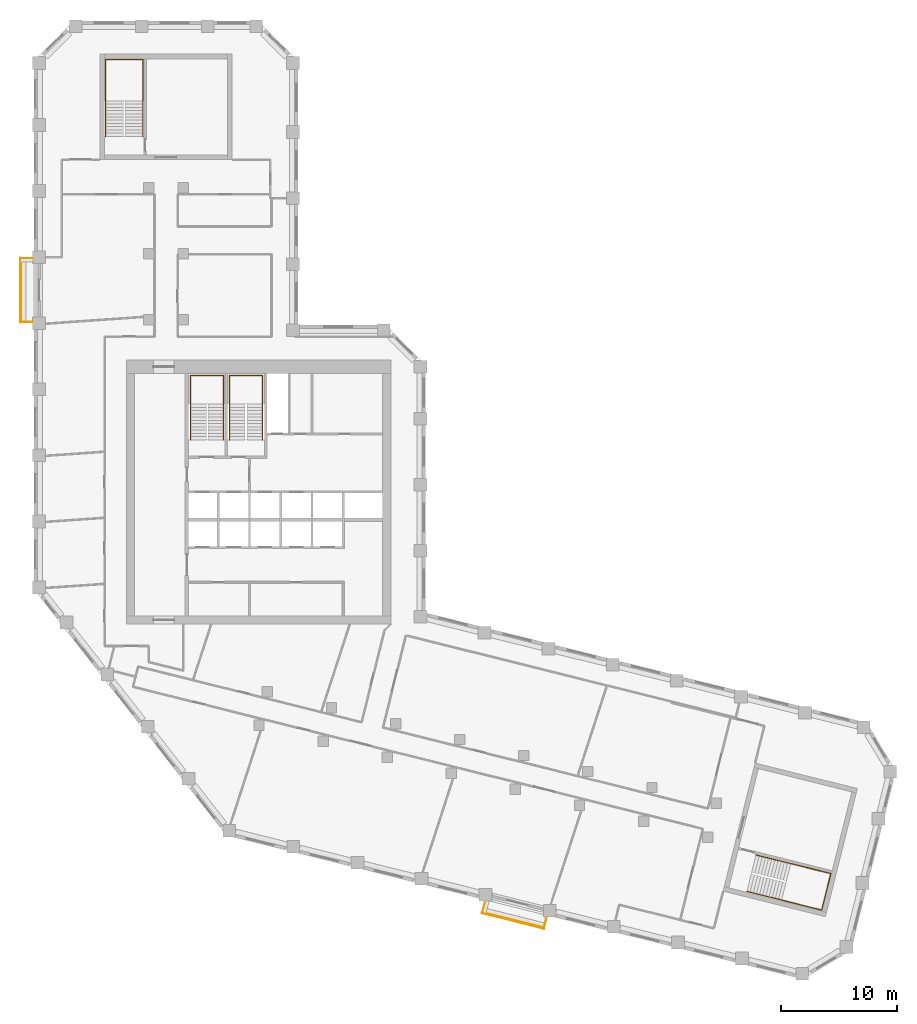
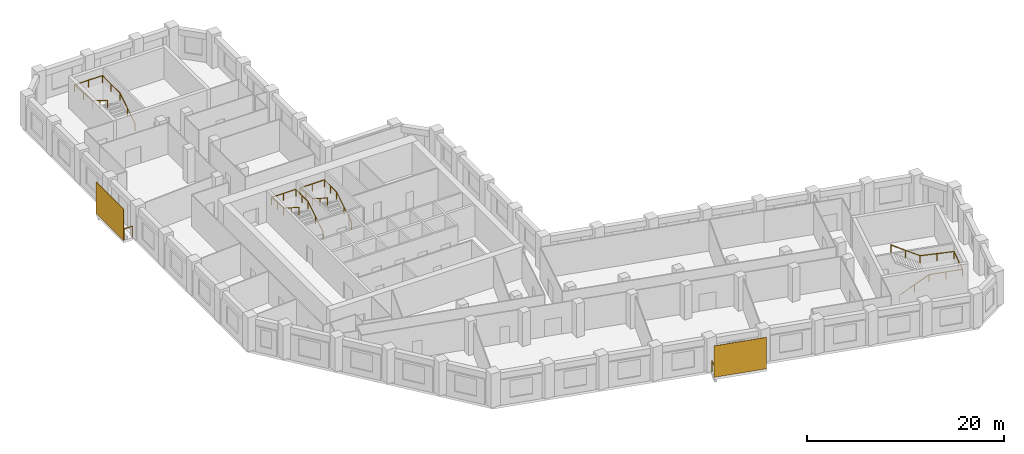
# One storey, part 10 of 10: 6 railings, 2 shading devices.
"""IFC4 building model written with IfcOpenShell, lengths in metres."""

from ifc_helpers import new_model, si_unit, direction, frame, origin, origin_2d, place, context, subcontext, project, spatial, rectangle, circle, extrude, material, layer, layer_set, type_object, element, save


model = new_model("IFC4")

# Units and contexts
model_context = context("Model", 3, precision=1e-05, world=origin(), true_north=direction((0.0, 1.0)))
body_context = subcontext(model_context, "Body", "Model", "MODEL_VIEW")
ifc_project = project(units=[si_unit("LENGTHUNIT", "METRE"), si_unit("AREAUNIT", "SQUARE_METRE"), si_unit("VOLUMEUNIT", "CUBIC_METRE"), si_unit("PLANEANGLEUNIT", "RADIAN"), si_unit("MASSUNIT", "GRAM", prefix="KILO")], contexts=[model_context])

# Site, building, storey
site_placement = place(None, origin())
site = spatial("IfcSite", under=ifc_project, at=site_placement, CompositionType="ELEMENT")
building_placement = place(site_placement, origin())
building = spatial("IfcBuilding", under=site, at=building_placement, Name="Meshkara Civic Tower", CompositionType="ELEMENT")
storey_placement = place(building_placement, frame((0.0, 0.0, 246.60009765625)))
storey = spatial("IfcBuildingStorey", under=building, at=storey_placement, Name="L56", CompositionType="ELEMENT", Elevation=246.60009765625)

# Railings
ifc_material_1 = material(Name="Steel S355", Category="steel")
railing_type_1 = type_object("IfcRailingType", Name="BALUSTRADE GUARD 1400", PredefinedType="BALUSTRADE", material=ifc_material_1)
railing_1_placement = place(storey_placement, frame((-0.10009765625, 45.635009765625, 0.0)))
element("IfcRailing", 1, at=railing_1_placement, inside=storey, type_object=railing_type_1, Name="Balcony guard", PredefinedType="BALUSTRADE", context=body_context, shape_type="SweptSolid", body=[
    extrude(circle(Radius=0.02392578125, at=origin_2d()), frame((0.0, 0.0, 1.3759765625), z_axis=(-1.0, 0.0, 0.0), x_axis=(0.0, -1.0, 0.0)), (0.0, 0.0, 1.0), 1.010009765625),
    extrude(circle(Radius=0.02392578125, at=origin_2d()), frame((-1.010009765625, 0.0, 1.3759765625), z_axis=(0.0, -1.0, 0.0), x_axis=(1.0, 0.0, 0.0)), (0.0, 0.0, 1.0), 5.4599609375),
    extrude(circle(Radius=0.02392578125, at=origin_2d()), frame((-1.010009765625, -5.4599609375, 1.3759765625), z_axis=(1.0, 0.0, 0.0), x_axis=(0.0, 1.0, 0.0)), (0.0, 0.0, 1.0), 1.010009765625),
    extrude(circle(Radius=0.02099609375, at=origin_2d()), origin(), (0.0, 0.0, 1.0), 1.351806640625),
    extrude(circle(Radius=0.02099609375, at=origin_2d()), frame((-1.010009765625, 0.0, 0.0)), (0.0, 0.0, 1.0), 1.351806640625),
    extrude(circle(Radius=0.02099609375, at=origin_2d()), frame((-1.010009765625, -1.092041015625, 0.0)), (0.0, 0.0, 1.0), 1.351806640625),
    extrude(circle(Radius=0.02099609375, at=origin_2d()), frame((-1.010009765625, -2.18408203125, 0.0)), (0.0, 0.0, 1.0), 1.351806640625),
    extrude(circle(Radius=0.02099609375, at=origin_2d()), frame((-1.010009765625, -3.27587890625, 0.0)), (0.0, 0.0, 1.0), 1.351806640625),
    extrude(circle(Radius=0.02099609375, at=origin_2d()), frame((-1.010009765625, -4.367919921875, 0.0)), (0.0, 0.0, 1.0), 1.351806640625),
    extrude(circle(Radius=0.02099609375, at=origin_2d()), frame((-1.010009765625, -5.4599609375, 0.0)), (0.0, 0.0, 1.0), 1.351806640625),
    extrude(circle(Radius=0.02099609375, at=origin_2d()), frame((0.0, -5.4599609375, 0.0)), (0.0, 0.0, 1.0), 1.351806640625),
])
railing_2_placement = place(storey_placement, frame((38.928955078125, -9.928955078125, 0.0)))
element("IfcRailing", 2, at=railing_2_placement, inside=storey, type_object=railing_type_1, Name="Balcony guard", PredefinedType="BALUSTRADE", context=body_context, shape_type="SweptSolid", body=[
    extrude(circle(Radius=0.02392578125, at=origin_2d()), frame((0.0, 0.0, 1.3759765625), z_axis=(-0.241828319243, -0.97031905269, 0.0), x_axis=(0.97031905269, -0.241828319243, 0.0)), (0.0, 0.0, 1.0), 0.8935546875),
    extrude(circle(Radius=0.02392578125, at=origin_2d()), frame((-0.216064453125, -0.866943359375, 1.3759765625), z_axis=(0.970292231073, -0.24193591366, 0.0), x_axis=(0.24193591366, 0.970292231073, 0.0)), (0.0, 0.0, 1.0), 5.460205078125),
    extrude(circle(Radius=0.02392578125, at=origin_2d()), frame((5.08203125, -2.18798828125, 1.3759765625), z_axis=(0.241828319243, 0.97031905269, 0.0), x_axis=(-0.97031905269, 0.241828319243, 0.0)), (0.0, 0.0, 1.0), 0.8935546875),
    extrude(circle(Radius=0.02099609375, at=origin_2d()), origin(), (0.0, 0.0, 1.0), 1.351806640625),
    extrude(circle(Radius=0.02099609375, at=origin_2d()), frame((-0.216064453125, -0.866943359375, 0.0)), (0.0, 0.0, 1.0), 1.351806640625),
    extrude(circle(Radius=0.02099609375, at=origin_2d()), frame((0.843505859375, -1.131103515625, 0.0)), (0.0, 0.0, 1.0), 1.351806640625),
    extrude(circle(Radius=0.02099609375, at=origin_2d()), frame((1.903076171875, -1.395263671875, 0.0)), (0.0, 0.0, 1.0), 1.351806640625),
    extrude(circle(Radius=0.02099609375, at=origin_2d()), frame((2.962890625, -1.65966796875, 0.0)), (0.0, 0.0, 1.0), 1.351806640625),
    extrude(circle(Radius=0.02099609375, at=origin_2d()), frame((4.0224609375, -1.923828125, 0.0)), (0.0, 0.0, 1.0), 1.351806640625),
    extrude(circle(Radius=0.02099609375, at=origin_2d()), frame((5.08203125, -2.18798828125, 0.0)), (0.0, 0.0, 1.0), 1.351806640625),
    extrude(circle(Radius=0.02099609375, at=origin_2d()), frame((5.298095703125, -1.321044921875, 0.0)), (0.0, 0.0, 1.0), 1.351806640625),
])

# Shading devices
ifc_material_2 = material(Name="Perforated bronze anodised aluminium sheet", Category="aluminium")
ifc_layer = layer(ifc_material_2, 0.0400390625)
ifc_layer_set = layer_set([ifc_layer], Name="PERFORATED BRONZE SCREEN")
shading_device_type = type_object("IfcShadingDeviceType", Name="PERFORATED BRONZE SCREEN", PredefinedType="USERDEFINED", material=ifc_layer_set)
for number, where, z_axis, x_axis, name in (
    (3, (-1.179931640625, 42.905029296875, 0.0), (0.0, 0.0, 1.0), (0.0, -1.0, 0.0), "Balcony screen"),
    (4, (41.344970703125, -11.52392578125, 0.0), (0.0, 0.0, 1.0), (0.970299948462, -0.241904960708, 0.0), "Balcony screen"),
):
    element("IfcShadingDevice", number, at=place(storey_placement, frame(where, z_axis=z_axis, x_axis=x_axis)), inside=storey, type_object=shading_device_type, Name=name, ObjectType="SCREEN", PredefinedType="USERDEFINED", context=body_context, shape_type="SweptSolid", body=[
        extrude(rectangle(XDim=5.580078125, YDim=0.0400390625, at=origin_2d()), origin(), (0.0, 0.0, 1.0), 3.89990234375),
    ])

# Railings
ifc_material_3 = material(Name="Steel handrail", Category="steel")
railing_type_2 = type_object("IfcRailingType", Name="Stair handrail 900", PredefinedType="HANDRAIL", material=ifc_material_3)
railing_3_placement = place(storey_placement, frame((16.375, 30.0, 0.1748046875)))
element("IfcRailing", 5, at=railing_3_placement, inside=storey, type_object=railing_type_2, Name="L56 ST1 stair handrail 1", PredefinedType="HANDRAIL", context=body_context, shape_type="SweptSolid", body=[
    extrude(circle(Radius=0.02392578125, at=origin_2d()), frame((0.0, 0.0, 0.8759765625), z_axis=(0.0, 0.847998304005, 0.529998940003), x_axis=(-1.0, 0.0, 0.0)), (0.0, 0.0, 1.0), 3.632080078125),
    extrude(circle(Radius=0.02392578125, at=origin_2d()), frame((0.0, 3.080078125, 2.80078125), z_axis=(0.0, 1.0, 0.0), x_axis=(-1.0, 0.0, 0.0)), (0.0, 0.0, 1.0), 2.469970703125),
    extrude(circle(Radius=0.02392578125, at=origin_2d()), frame((0.0, 5.550048828125, 2.80078125), z_axis=(-1.0, 0.0, 0.0), x_axis=(0.0, -1.0, 0.0)), (0.0, 0.0, 1.0), 2.85009765625),
    extrude(circle(Radius=0.02392578125, at=origin_2d()), frame((-2.85009765625, 5.550048828125, 2.80078125), z_axis=(0.0, -0.997498084828, 0.070693498747), x_axis=(1.0, 0.0, 0.0)), (0.0, 0.0, 1.0), 2.47607421875),
    extrude(circle(Radius=0.02392578125, at=origin_2d()), frame((-2.85009765625, 3.080078125, 2.97607421875), z_axis=(0.0, -0.847998304005, 0.529998940003), x_axis=(1.0, 0.0, 0.0)), (0.0, 0.0, 1.0), 3.632080078125),
    extrude(circle(Radius=0.02099609375, at=origin_2d()), origin(), (0.0, 0.0, 1.0), 0.851806640625),
    extrude(circle(Radius=0.02099609375, at=origin_2d()), frame((0.0, 1.5400390625, 0.96240234375)), (0.0, 0.0, 1.0), 0.851806640625),
    extrude(circle(Radius=0.02099609375, at=origin_2d()), frame((0.0, 3.080078125, 1.925048828125)), (0.0, 0.0, 1.0), 0.851806640625),
    extrude(circle(Radius=0.02099609375, at=origin_2d()), frame((0.0, 4.31494140625, 1.925048828125)), (0.0, 0.0, 1.0), 0.851806640625),
    extrude(circle(Radius=0.02099609375, at=origin_2d()), frame((0.0, 5.550048828125, 1.925048828125)), (0.0, 0.0, 1.0), 0.851806640625),
    extrude(circle(Radius=0.02099609375, at=origin_2d()), frame((-1.425048828125, 5.550048828125, 1.925048828125)), (0.0, 0.0, 1.0), 0.851806640625),
    extrude(circle(Radius=0.02099609375, at=origin_2d()), frame((-2.85009765625, 5.550048828125, 1.925048828125)), (0.0, 0.0, 1.0), 0.851806640625),
    extrude(circle(Radius=0.02099609375, at=origin_2d()), frame((-2.85009765625, 4.31494140625, 2.0126953125)), (0.0, 0.0, 1.0), 0.851806640625),
    extrude(circle(Radius=0.02099609375, at=origin_2d()), frame((-2.85009765625, 3.080078125, 2.10009765625)), (0.0, 0.0, 1.0), 0.851806640625),
    extrude(circle(Radius=0.02099609375, at=origin_2d()), frame((-2.85009765625, 1.5400390625, 3.0625)), (0.0, 0.0, 1.0), 0.851806640625),
    extrude(circle(Radius=0.02099609375, at=origin_2d()), frame((-2.85009765625, 0.0, 4.025146484375)), (0.0, 0.0, 1.0), 0.851806640625),
])
railing_4_placement = place(storey_placement, frame((19.72509765625, 30.0, 0.1748046875)))
element("IfcRailing", 6, at=railing_4_placement, inside=storey, type_object=railing_type_2, Name="L56 ST2 stair handrail 1", PredefinedType="HANDRAIL", context=body_context, shape_type="SweptSolid", body=[
    extrude(circle(Radius=0.02392578125, at=origin_2d()), frame((0.0, 0.0, 0.8759765625), z_axis=(0.0, 0.847998304005, 0.529998940003), x_axis=(-1.0, 0.0, 0.0)), (0.0, 0.0, 1.0), 3.632080078125),
    extrude(circle(Radius=0.02392578125, at=origin_2d()), frame((0.0, 3.080078125, 2.80078125), z_axis=(0.0, 1.0, 0.0), x_axis=(-1.0, 0.0, 0.0)), (0.0, 0.0, 1.0), 2.469970703125),
    extrude(circle(Radius=0.02392578125, at=origin_2d()), frame((0.0, 5.550048828125, 2.80078125), z_axis=(-1.0, 0.0, 0.0), x_axis=(0.0, -1.0, 0.0)), (0.0, 0.0, 1.0), 2.85009765625),
    extrude(circle(Radius=0.02392578125, at=origin_2d()), frame((-2.85009765625, 5.550048828125, 2.80078125), z_axis=(0.0, -0.997498084828, 0.070693498747), x_axis=(1.0, 0.0, 0.0)), (0.0, 0.0, 1.0), 2.47607421875),
    extrude(circle(Radius=0.02392578125, at=origin_2d()), frame((-2.85009765625, 3.080078125, 2.97607421875), z_axis=(0.0, -0.847998304005, 0.529998940003), x_axis=(1.0, 0.0, 0.0)), (0.0, 0.0, 1.0), 3.632080078125),
    extrude(circle(Radius=0.02099609375, at=origin_2d()), origin(), (0.0, 0.0, 1.0), 0.851806640625),
    extrude(circle(Radius=0.02099609375, at=origin_2d()), frame((0.0, 1.5400390625, 0.96240234375)), (0.0, 0.0, 1.0), 0.851806640625),
    extrude(circle(Radius=0.02099609375, at=origin_2d()), frame((0.0, 3.080078125, 1.925048828125)), (0.0, 0.0, 1.0), 0.851806640625),
    extrude(circle(Radius=0.02099609375, at=origin_2d()), frame((0.0, 4.31494140625, 1.925048828125)), (0.0, 0.0, 1.0), 0.851806640625),
    extrude(circle(Radius=0.02099609375, at=origin_2d()), frame((0.0, 5.550048828125, 1.925048828125)), (0.0, 0.0, 1.0), 0.851806640625),
    extrude(circle(Radius=0.02099609375, at=origin_2d()), frame((-1.425048828125, 5.550048828125, 1.925048828125)), (0.0, 0.0, 1.0), 0.851806640625),
    extrude(circle(Radius=0.02099609375, at=origin_2d()), frame((-2.85009765625, 5.550048828125, 1.925048828125)), (0.0, 0.0, 1.0), 0.851806640625),
    extrude(circle(Radius=0.02099609375, at=origin_2d()), frame((-2.85009765625, 4.31494140625, 2.0126953125)), (0.0, 0.0, 1.0), 0.851806640625),
    extrude(circle(Radius=0.02099609375, at=origin_2d()), frame((-2.85009765625, 3.080078125, 2.10009765625)), (0.0, 0.0, 1.0), 0.851806640625),
    extrude(circle(Radius=0.02099609375, at=origin_2d()), frame((-2.85009765625, 1.5400390625, 3.0625)), (0.0, 0.0, 1.0), 0.851806640625),
    extrude(circle(Radius=0.02099609375, at=origin_2d()), frame((-2.85009765625, 0.0, 4.025146484375)), (0.0, 0.0, 1.0), 0.851806640625),
])
railing_5_placement = place(storey_placement, frame((9.425048828125, 56.169921875, 0.1748046875)))
element("IfcRailing", 7, at=railing_5_placement, inside=storey, type_object=railing_type_2, Name="L56 ESA4 stair handrail 1", PredefinedType="HANDRAIL", context=body_context, shape_type="SweptSolid", body=[
    extrude(circle(Radius=0.02392578125, at=origin_2d()), frame((0.0, 0.0, 0.8759765625), z_axis=(0.0, 0.847998304005, 0.529998940003), x_axis=(-1.0, 0.0, 0.0)), (0.0, 0.0, 1.0), 3.632080078125),
    extrude(circle(Radius=0.02392578125, at=origin_2d()), frame((0.0, 3.080078125, 2.80078125), z_axis=(0.0, 1.0, 0.0), x_axis=(-1.0, 0.0, 0.0)), (0.0, 0.0, 1.0), 3.570068359375),
    extrude(circle(Radius=0.02392578125, at=origin_2d()), frame((0.0, 6.650146484375, 2.80078125), z_axis=(-1.0, 0.0, 0.0), x_axis=(0.0, -1.0, 0.0)), (0.0, 0.0, 1.0), 3.25),
    extrude(circle(Radius=0.02392578125, at=origin_2d()), frame((-3.25, 6.650146484375, 2.80078125), z_axis=(0.0, -0.998800077689, 0.048973511297), x_axis=(1.0, 0.0, 0.0)), (0.0, 0.0, 1.0), 3.574462890625),
    extrude(circle(Radius=0.02392578125, at=origin_2d()), frame((-3.25, 3.080078125, 2.97607421875), z_axis=(0.0, -0.847998304005, 0.529998940003), x_axis=(1.0, 0.0, 0.0)), (0.0, 0.0, 1.0), 3.632080078125),
    extrude(circle(Radius=0.02099609375, at=origin_2d()), origin(), (0.0, 0.0, 1.0), 0.851806640625),
    extrude(circle(Radius=0.02099609375, at=origin_2d()), frame((0.0, 1.5400390625, 0.96240234375)), (0.0, 0.0, 1.0), 0.851806640625),
    extrude(circle(Radius=0.02099609375, at=origin_2d()), frame((0.0, 3.080078125, 1.925048828125)), (0.0, 0.0, 1.0), 0.851806640625),
    extrude(circle(Radius=0.02099609375, at=origin_2d()), frame((0.0, 4.865234375, 1.925048828125)), (0.0, 0.0, 1.0), 0.851806640625),
    extrude(circle(Radius=0.02099609375, at=origin_2d()), frame((0.0, 6.650146484375, 1.925048828125)), (0.0, 0.0, 1.0), 0.851806640625),
    extrude(circle(Radius=0.02099609375, at=origin_2d()), frame((-1.625, 6.650146484375, 1.925048828125)), (0.0, 0.0, 1.0), 0.851806640625),
    extrude(circle(Radius=0.02099609375, at=origin_2d()), frame((-3.25, 6.650146484375, 1.925048828125)), (0.0, 0.0, 1.0), 0.851806640625),
    extrude(circle(Radius=0.02099609375, at=origin_2d()), frame((-3.25, 4.865234375, 2.0126953125)), (0.0, 0.0, 1.0), 0.851806640625),
    extrude(circle(Radius=0.02099609375, at=origin_2d()), frame((-3.25, 3.080078125, 2.10009765625)), (0.0, 0.0, 1.0), 0.851806640625),
    extrude(circle(Radius=0.02099609375, at=origin_2d()), frame((-3.25, 1.5400390625, 3.0625)), (0.0, 0.0, 1.0), 0.851806640625),
    extrude(circle(Radius=0.02099609375, at=origin_2d()), frame((-3.25, 0.0, 4.025146484375)), (0.0, 0.0, 1.0), 0.851806640625),
])
railing_6_placement = place(storey_placement, frame((61.526123046875, -8.97607421875, 0.1748046875)))
element("IfcRailing", 8, at=railing_6_placement, inside=storey, type_object=railing_type_2, Name="L56 ESB4 stair handrail 1", PredefinedType="HANDRAIL", context=body_context, shape_type="SweptSolid", body=[
    extrude(circle(Radius=0.02392578125, at=origin_2d()), frame((0.0, 0.0, 0.8759765625), z_axis=(0.822771605551, -0.205222362071, 0.530028930537), x_axis=(0.242013336109, 0.97027292302, 0.0)), (0.0, 0.0, 1.0), 3.632080078125),
    extrude(circle(Radius=0.02392578125, at=origin_2d()), frame((2.98828125, -0.745361328125, 2.80078125), z_axis=(0.97025503065, -0.242085058395, 0.0), x_axis=(0.242085058395, 0.97025503065, 0.0)), (0.0, 0.0, 1.0), 3.570068359375),
    extrude(circle(Radius=0.02392578125, at=origin_2d()), frame((6.4521484375, -1.609619140625, 2.80078125), z_axis=(0.242040676986, 0.970266103027, 0.0), x_axis=(-0.970266103027, 0.242040676986, 0.0)), (0.0, 0.0, 1.0), 3.25),
    extrude(circle(Radius=0.02392578125, at=origin_2d()), frame((7.23876953125, 1.543701171875, 2.80078125), z_axis=(-0.969086635977, 0.241810579499, 0.04897688856), x_axis=(-0.24210112213, -0.970251022501, 0.0)), (0.0, 0.0, 1.0), 3.57421875),
    extrude(circle(Radius=0.02392578125, at=origin_2d()), frame((3.775146484375, 2.407958984375, 2.97607421875), z_axis=(-0.822793318929, 0.205211012392, 0.529999617659), x_axis=(-0.24199472324, -0.970277565403, 0.0)), (0.0, 0.0, 1.0), 3.632080078125),
    extrude(circle(Radius=0.02099609375, at=origin_2d()), origin(), (0.0, 0.0, 1.0), 0.851806640625),
    extrude(circle(Radius=0.02099609375, at=origin_2d()), frame((1.494140625, -0.37255859375, 0.96240234375)), (0.0, 0.0, 1.0), 0.851806640625),
    extrude(circle(Radius=0.02099609375, at=origin_2d()), frame((2.98828125, -0.745361328125, 1.925048828125)), (0.0, 0.0, 1.0), 0.851806640625),
    extrude(circle(Radius=0.02099609375, at=origin_2d()), frame((4.72021484375, -1.177490234375, 1.925048828125)), (0.0, 0.0, 1.0), 0.851806640625),
    extrude(circle(Radius=0.02099609375, at=origin_2d()), frame((6.4521484375, -1.609619140625, 1.925048828125)), (0.0, 0.0, 1.0), 0.851806640625),
    extrude(circle(Radius=0.02099609375, at=origin_2d()), frame((6.845458984375, -0.032958984375, 1.925048828125)), (0.0, 0.0, 1.0), 0.851806640625),
    extrude(circle(Radius=0.02099609375, at=origin_2d()), frame((7.23876953125, 1.543701171875, 1.925048828125)), (0.0, 0.0, 1.0), 0.851806640625),
    extrude(circle(Radius=0.02099609375, at=origin_2d()), frame((5.5068359375, 1.975830078125, 2.0126953125)), (0.0, 0.0, 1.0), 0.851806640625),
    extrude(circle(Radius=0.02099609375, at=origin_2d()), frame((3.775146484375, 2.407958984375, 2.10009765625)), (0.0, 0.0, 1.0), 0.851806640625),
    extrude(circle(Radius=0.02099609375, at=origin_2d()), frame((2.28076171875, 2.78076171875, 3.0625)), (0.0, 0.0, 1.0), 0.851806640625),
    extrude(circle(Radius=0.02099609375, at=origin_2d()), frame((0.78662109375, 3.1533203125, 4.025146484375)), (0.0, 0.0, 1.0), 0.851806640625),
])

save(model, "model.ifc")
